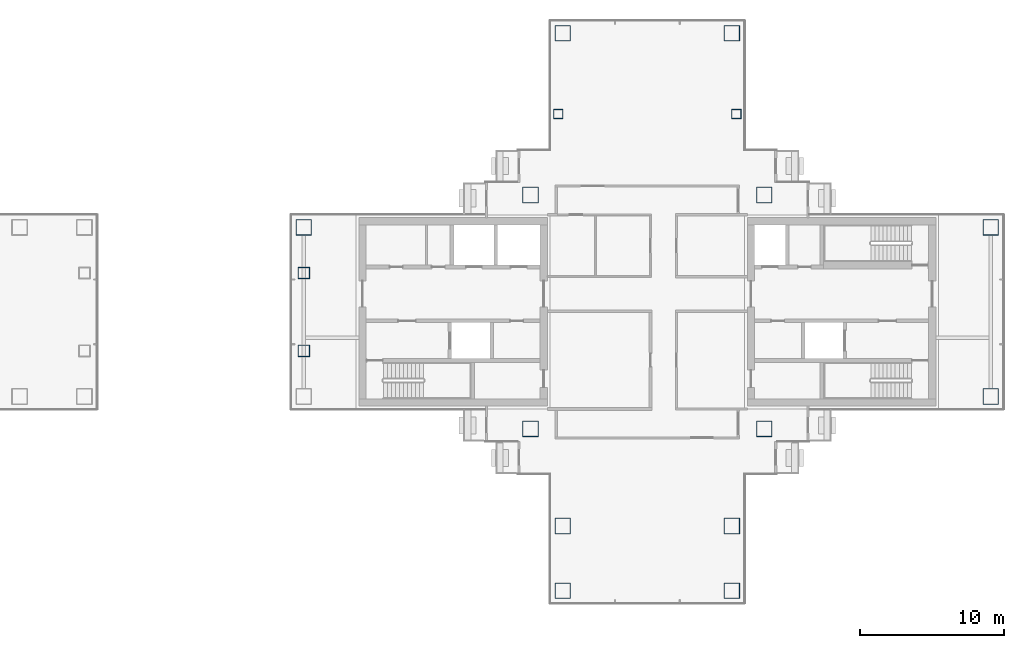
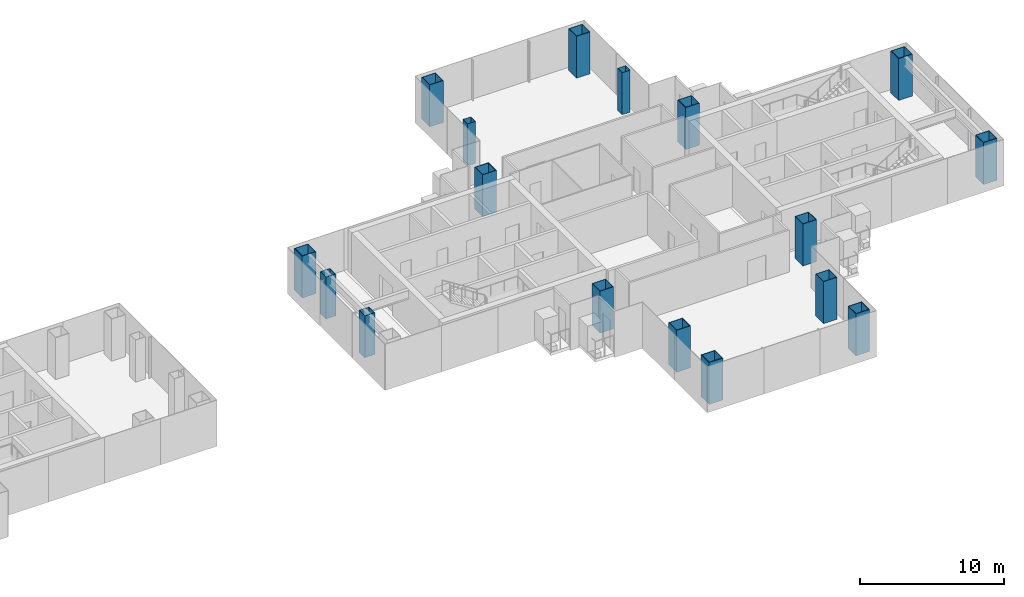
# One storey, part 2 of 16: 17 columns.
"""IFC4 building model written with IfcOpenShell, lengths in metres."""

from ifc_helpers import new_model, si_unit, direction, frame, origin, origin_2d, place, context, subcontext, project, spatial, hollow_rectangle, extrude, material, material_profile, profile_set, type_object, element, save


model = new_model("IFC4")

# Units and contexts
model_context = context("Model", 3, precision=1e-05, world=origin(), true_north=direction((0.0, 1.0)))
body_context = subcontext(model_context, "Body", "Model", "MODEL_VIEW")
ifc_project = project(units=[si_unit("LENGTHUNIT", "METRE"), si_unit("AREAUNIT", "SQUARE_METRE"), si_unit("VOLUMEUNIT", "CUBIC_METRE"), si_unit("PLANEANGLEUNIT", "RADIAN"), si_unit("MASSUNIT", "GRAM", prefix="KILO")], contexts=[model_context])

# Site, building, storey
site_placement = place(None, origin())
site = spatial("IfcSite", under=ifc_project, at=site_placement, CompositionType="ELEMENT")
building_placement = place(site_placement, origin())
building = spatial("IfcBuilding", under=site, at=building_placement, Name="Shamsa Quay Exchange Towers", CompositionType="ELEMENT")
storey_placement = place(building_placement, frame((0.0, 0.0, 138.89990234375)))
storey = spatial("IfcBuildingStorey", under=building, at=storey_placement, Name="L32", CompositionType="ELEMENT", Elevation=138.89990234375)

# Columns
ifc_material_1 = material(Name="Concrete-filled steel tube S355 / C80/95", Category="concrete")
ifc_material_profile_1 = material_profile(ifc_material_1, hollow_rectangle(XDim=1.10009765625, YDim=1.10009765625, WallThickness=0.0400390625, at=origin_2d()), Name="CFT 1100x1100x40")
ifc_profile_set_1 = profile_set([ifc_material_profile_1], Name="Concrete-filled steel tube S355 / C80/95")
column_type_1 = type_object("IfcColumnType", Name="Column CFT 1100x1100x40", PredefinedType="COLUMN", material=ifc_profile_set_1)
for number, where, name in (
    (1, (25.625, 8.125, 0.0), "Mega column T2-CM01"),
    (2, (41.875, 8.125, 0.0), "Mega column T2-CM02"),
    (3, (25.625, -8.125, 0.0), "Mega column T2-CM03"),
    (4, (41.875, -8.125, 0.0), "Mega column T2-CM04"),
    (5, (39.625, 19.375, 0.0), "Mega column T2-CM06"),
    (6, (27.875, 19.375, 0.0), "Mega column T2-CM10"),
    (7, (39.625, -14.875, 0.0), "Mega column T2-CM13"),
    (8, (39.625, -19.375, 0.0), "Mega column T2-CM14"),
    (9, (27.875, -14.875, 0.0), "Mega column T2-CM16"),
    (10, (27.875, -19.375, 0.0), "Mega column T2-CM17"),
    (11, (9.875, 5.875, 0.0), "Mega column T2-CM20"),
    (12, (57.625, -5.875, 0.0), "Mega column T2-CM21"),
    (13, (57.625, 5.875, 0.0), "Mega column T2-CM23"),
):
    element("IfcColumn", number, at=place(storey_placement, frame(where)), inside=storey, type_object=column_type_1, Name=name, PredefinedType="COLUMN", context=body_context, shape_type="SweptSolid", body=[
        extrude(hollow_rectangle(XDim=1.10009765625, YDim=1.10009765625, WallThickness=0.0400390625, at=origin_2d()), origin(), (0.0, 0.0, 1.0), 3.550048828125),
    ])
ifc_material_2 = material(Name="Concrete-filled steel tube S355 / C60/75", Category="concrete")
ifc_material_profile_2 = material_profile(ifc_material_2, hollow_rectangle(XDim=0.64990234375, YDim=0.64990234375, WallThickness=0.02001953125, at=origin_2d()), Name="CFT 650x650x20")
ifc_profile_set_2 = profile_set([ifc_material_profile_2], Name="Concrete-filled steel tube S355 / C60/75")
column_type_2 = type_object("IfcColumnType", Name="Column CFT 650x650x20", PredefinedType="COLUMN", material=ifc_profile_set_2)
for number, where, name in (
    (14, (39.9375, 13.75, 0.0), "Perimeter column T2-CP05"),
    (15, (27.5625, 13.75, 0.0), "Perimeter column T2-CP09"),
):
    element("IfcColumn", number, at=place(storey_placement, frame(where)), inside=storey, type_object=column_type_2, Name=name, PredefinedType="COLUMN", context=body_context, shape_type="SweptSolid", body=[
        extrude(hollow_rectangle(XDim=0.64990234375, YDim=0.64990234375, WallThickness=0.02001953125, at=origin_2d()), origin(), (0.0, 0.0, 1.0), 3.550048828125),
    ])
ifc_material_3 = material(Name="Concrete-filled steel tube S355 / C70/85", Category="concrete")
ifc_material_profile_3 = material_profile(ifc_material_3, hollow_rectangle(XDim=0.800048828125, YDim=0.800048828125, WallThickness=0.030029296875, at=origin_2d()), Name="CFT 800x800x30")
ifc_profile_set_3 = profile_set([ifc_material_profile_3], Name="Concrete-filled steel tube S355 / C70/85")
column_type_3 = type_object("IfcColumnType", Name="Landing column CFT 800x800x30", PredefinedType="COLUMN", material=ifc_profile_set_3)
for number, where, name in (
    (16, (9.875, -2.699951171875, 0.0), "Landing column T2 S"),
    (17, (9.875, 2.699951171875, 0.0), "Landing column T2 N"),
):
    element("IfcColumn", number, at=place(storey_placement, frame(where)), inside=storey, type_object=column_type_3, Name=name, PredefinedType="COLUMN", context=body_context, shape_type="SweptSolid", body=[
        extrude(hollow_rectangle(XDim=0.800048828125, YDim=0.800048828125, WallThickness=0.030029296875, at=origin_2d()), origin(), (0.0, 0.0, 1.0), 3.550048828125),
    ])

save(model, "model.ifc")
